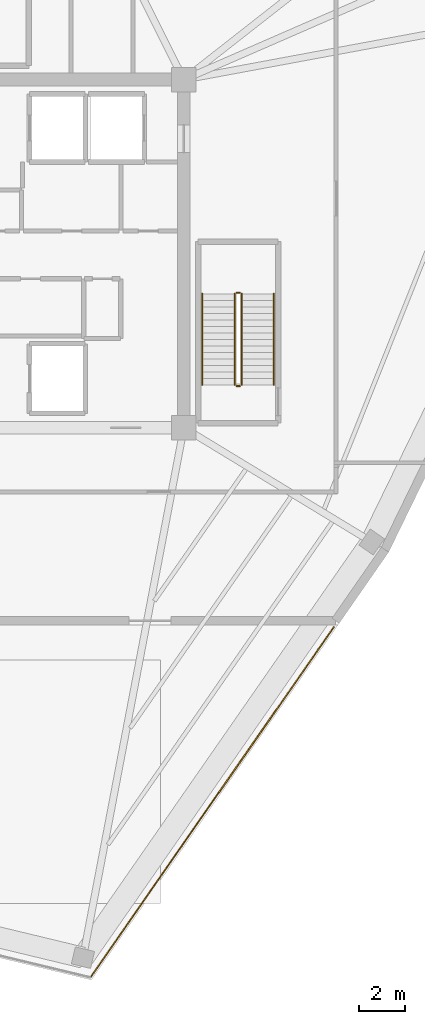
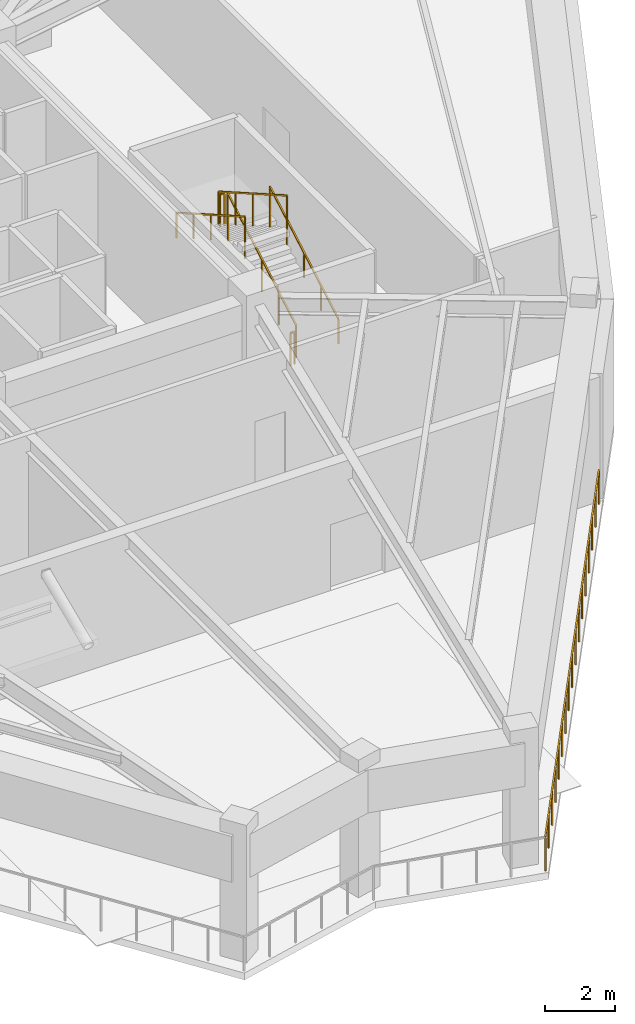
# One storey, part 10 of 12: 7 railings.
"""IFC4 building model written with IfcOpenShell, lengths in metres."""

from ifc_helpers import new_model, si_unit, direction, frame, origin, origin_2d, place, context, subcontext, project, spatial, rectangle, extrude, material, type_object, element, save


model = new_model("IFC4")

# Units and contexts
model_context = context("Model", 3, precision=1e-05, world=origin(), true_north=direction((0.0, 1.0)))
body_context = subcontext(model_context, "Body", "Model", "MODEL_VIEW")
ifc_project = project(units=[si_unit("LENGTHUNIT", "METRE"), si_unit("AREAUNIT", "SQUARE_METRE"), si_unit("VOLUMEUNIT", "CUBIC_METRE"), si_unit("PLANEANGLEUNIT", "RADIAN"), si_unit("MASSUNIT", "GRAM", prefix="KILO")], contexts=[model_context])

# Site, building, storey
site_placement = place(None, origin())
site = spatial("IfcSite", under=ifc_project, at=site_placement, CompositionType="ELEMENT")
building_placement = place(site_placement, origin())
building = spatial("IfcBuilding", under=site, at=building_placement, Name="Liaohun Quay Tower", CompositionType="ELEMENT")
storey_placement = place(building_placement, frame((0.0, 0.0, 355.800048828125)))
storey = spatial("IfcBuildingStorey", under=building, at=storey_placement, Name="L92", CompositionType="ELEMENT", Elevation=355.800048828125)

# Railings
ifc_material_1 = material(Name="Galvanised and powder-coated steel", Category="steel")
railing_type_1 = type_object("IfcRailingType", Name="RLG-GUARD-EXT", PredefinedType="GUARDRAIL", material=ifc_material_1)
railing_1_placement = place(storey_placement, frame((75.449951171875, 37.89990234375, 0.0)))
element("IfcRailing", 1, at=railing_1_placement, inside=storey, type_object=railing_type_1, Name="L92 L92 Observation Lookout Perimeter Balustrade 01", PredefinedType="GUARDRAIL", context=body_context, shape_type="SweptSolid", body=[
    extrude(rectangle(XDim=0.048095703125, YDim=0.048095703125, at=origin_2d()), frame((0.0, 0.0, 1.17578125), z_axis=(-0.570538633817, -0.821270763709, 0.0), x_axis=(0.821270763709, -0.570538633817, 0.0)), (0.0, 0.0, 1.0), 18.3544921875),
    extrude(rectangle(XDim=0.0419921875, YDim=0.0419921875, at=origin_2d()), origin(), (0.0, 0.0, 1.0), 1.15185546875),
    extrude(rectangle(XDim=0.0419921875, YDim=0.0419921875, at=origin_2d()), frame((-0.654541015625, -0.942138671875, 0.0)), (0.0, 0.0, 1.0), 1.15185546875),
    extrude(rectangle(XDim=0.0419921875, YDim=0.0419921875, at=origin_2d()), frame((-1.30908203125, -1.88427734375, 0.0)), (0.0, 0.0, 1.0), 1.15185546875),
    extrude(rectangle(XDim=0.0419921875, YDim=0.0419921875, at=origin_2d()), frame((-1.96337890625, -2.826416015625, 0.0)), (0.0, 0.0, 1.0), 1.15185546875),
    extrude(rectangle(XDim=0.0419921875, YDim=0.0419921875, at=origin_2d()), frame((-2.617919921875, -3.7685546875, 0.0)), (0.0, 0.0, 1.0), 1.15185546875),
    extrude(rectangle(XDim=0.0419921875, YDim=0.0419921875, at=origin_2d()), frame((-3.2724609375, -4.710693359375, 0.0)), (0.0, 0.0, 1.0), 1.15185546875),
    extrude(rectangle(XDim=0.0419921875, YDim=0.0419921875, at=origin_2d()), frame((-3.927001953125, -5.65283203125, 0.0)), (0.0, 0.0, 1.0), 1.15185546875),
    extrude(rectangle(XDim=0.0419921875, YDim=0.0419921875, at=origin_2d()), frame((-4.58154296875, -6.594970703125, 0.0)), (0.0, 0.0, 1.0), 1.15185546875),
    extrude(rectangle(XDim=0.0419921875, YDim=0.0419921875, at=origin_2d()), frame((-5.23583984375, -7.537109375, 0.0)), (0.0, 0.0, 1.0), 1.15185546875),
    extrude(rectangle(XDim=0.0419921875, YDim=0.0419921875, at=origin_2d()), frame((-5.890380859375, -8.47900390625, 0.0)), (0.0, 0.0, 1.0), 1.15185546875),
    extrude(rectangle(XDim=0.0419921875, YDim=0.0419921875, at=origin_2d()), frame((-6.544921875, -9.421142578125, 0.0)), (0.0, 0.0, 1.0), 1.15185546875),
    extrude(rectangle(XDim=0.0419921875, YDim=0.0419921875, at=origin_2d()), frame((-7.199462890625, -10.36328125, 0.0)), (0.0, 0.0, 1.0), 1.15185546875),
    extrude(rectangle(XDim=0.0419921875, YDim=0.0419921875, at=origin_2d()), frame((-7.85400390625, -11.305419921875, 0.0)), (0.0, 0.0, 1.0), 1.15185546875),
    extrude(rectangle(XDim=0.0419921875, YDim=0.0419921875, at=origin_2d()), frame((-8.508544921875, -12.24755859375, 0.0)), (0.0, 0.0, 1.0), 1.15185546875),
    extrude(rectangle(XDim=0.0419921875, YDim=0.0419921875, at=origin_2d()), frame((-9.162841796875, -13.189697265625, 0.0)), (0.0, 0.0, 1.0), 1.15185546875),
    extrude(rectangle(XDim=0.0419921875, YDim=0.0419921875, at=origin_2d()), frame((-9.8173828125, -14.1318359375, 0.0)), (0.0, 0.0, 1.0), 1.15185546875),
    extrude(rectangle(XDim=0.0419921875, YDim=0.0419921875, at=origin_2d()), frame((-10.471923828125, -15.073974609375, 0.0)), (0.0, 0.0, 1.0), 1.15185546875),
])
ifc_material_2 = material(Name="Painted tubular steel", Category="steel")
railing_type_2 = type_object("IfcRailingType", Name="RLG-GUARD-STR", PredefinedType="GUARDRAIL", material=ifc_material_2)
railing_2_placement = place(storey_placement, frame((71.489990234375, 48.35009765625, 0.159912109375)))
element("IfcRailing", 2, at=railing_2_placement, inside=storey, type_object=railing_type_2, Name="L92 ST-2 stair guard 1", PredefinedType="GUARDRAIL", context=body_context, shape_type="SweptSolid", body=[
    extrude(rectangle(XDim=0.048095703125, YDim=0.048095703125, at=origin_2d()), frame((0.0, 0.0, 1.1259765625), z_axis=(0.0, 0.868239814368, 0.496144761885), x_axis=(-1.0, 0.0, 0.0)), (0.0, 0.0, 1.0), 4.514892578125),
    extrude(rectangle(XDim=0.0419921875, YDim=0.0419921875, at=origin_2d()), origin(), (0.0, 0.0, 1.0), 1.101806640625),
    extrude(rectangle(XDim=0.0419921875, YDim=0.0419921875, at=origin_2d()), frame((0.0, 0.97998046875, 0.56005859375)), (0.0, 0.0, 1.0), 1.101806640625),
    extrude(rectangle(XDim=0.0419921875, YDim=0.0419921875, at=origin_2d()), frame((0.0, 1.9599609375, 1.1201171875)), (0.0, 0.0, 1.0), 1.101806640625),
    extrude(rectangle(XDim=0.0419921875, YDim=0.0419921875, at=origin_2d()), frame((0.0, 2.93994140625, 1.679931640625)), (0.0, 0.0, 1.0), 1.101806640625),
    extrude(rectangle(XDim=0.0419921875, YDim=0.0419921875, at=origin_2d()), frame((0.0, 3.919921875, 2.239990234375)), (0.0, 0.0, 1.0), 1.101806640625),
])
railing_3_placement = place(storey_placement, frame((71.409912109375, 52.320068359375, 2.39990234375)))
element("IfcRailing", 3, at=railing_3_placement, inside=storey, type_object=railing_type_2, Name="L92 ST-2 stair guard 2", PredefinedType="GUARDRAIL", context=body_context, shape_type="SweptSolid", body=[
    extrude(rectangle(XDim=0.048095703125, YDim=0.048095703125, at=origin_2d()), frame((0.0, 0.0, 1.1259765625), z_axis=(-1.0, 0.0, 0.0), x_axis=(0.0, -1.0, 0.0)), (0.0, 0.0, 1.0), 0.139892578125),
    extrude(rectangle(XDim=0.0419921875, YDim=0.0419921875, at=origin_2d()), origin(), (0.0, 0.0, 1.0), 1.101806640625),
    extrude(rectangle(XDim=0.0419921875, YDim=0.0419921875, at=origin_2d()), frame((-0.139892578125, 0.0, 0.0)), (0.0, 0.0, 1.0), 1.101806640625),
])
railing_4_placement = place(storey_placement, frame((71.18994140625, 52.27001953125, 2.56005859375)))
element("IfcRailing", 4, at=railing_4_placement, inside=storey, type_object=railing_type_2, Name="L92 ST-2 stair guard 3", PredefinedType="GUARDRAIL", context=body_context, shape_type="SweptSolid", body=[
    extrude(rectangle(XDim=0.048095703125, YDim=0.048095703125, at=origin_2d()), frame((0.0, 0.0, 1.1259765625), z_axis=(0.0, -0.868239814368, 0.496144761885), x_axis=(1.0, 0.0, 0.0)), (0.0, 0.0, 1.0), 4.514892578125),
    extrude(rectangle(XDim=0.0419921875, YDim=0.0419921875, at=origin_2d()), origin(), (0.0, 0.0, 1.0), 1.101806640625),
    extrude(rectangle(XDim=0.0419921875, YDim=0.0419921875, at=origin_2d()), frame((0.0, -0.97998046875, 0.56005859375)), (0.0, 0.0, 1.0), 1.101806640625),
    extrude(rectangle(XDim=0.0419921875, YDim=0.0419921875, at=origin_2d()), frame((0.0, -1.9599609375, 1.1201171875)), (0.0, 0.0, 1.0), 1.101806640625),
    extrude(rectangle(XDim=0.0419921875, YDim=0.0419921875, at=origin_2d()), frame((0.0, -2.93994140625, 1.679931640625)), (0.0, 0.0, 1.0), 1.101806640625),
    extrude(rectangle(XDim=0.0419921875, YDim=0.0419921875, at=origin_2d()), frame((0.0, -3.919921875, 2.239990234375)), (0.0, 0.0, 1.0), 1.101806640625),
])
railing_5_placement = place(storey_placement, frame((71.409912109375, 48.300048828125, 0.0)))
element("IfcRailing", 5, at=railing_5_placement, inside=storey, type_object=railing_type_2, Name="L92 ST-2 stair guard 4", PredefinedType="GUARDRAIL", context=body_context, shape_type="SweptSolid", body=[
    extrude(rectangle(XDim=0.048095703125, YDim=0.048095703125, at=origin_2d()), frame((0.0, 0.0, 1.1259765625), z_axis=(-1.0, 0.0, 0.0), x_axis=(0.0, -1.0, 0.0)), (0.0, 0.0, 1.0), 0.139892578125),
    extrude(rectangle(XDim=0.0419921875, YDim=0.0419921875, at=origin_2d()), origin(), (0.0, 0.0, 1.0), 1.101806640625),
    extrude(rectangle(XDim=0.0419921875, YDim=0.0419921875, at=origin_2d()), frame((-0.139892578125, 0.0, 0.0)), (0.0, 0.0, 1.0), 1.101806640625),
])
ifc_material_3 = material(Name="Brushed stainless steel", Category="steel")
railing_type_3 = type_object("IfcRailingType", Name="RLG-HND-STR", PredefinedType="HANDRAIL", material=ifc_material_3)
railing_6_placement = place(storey_placement, frame((72.8798828125, 48.35009765625, 0.159912109375)))
element("IfcRailing", 6, at=railing_6_placement, inside=storey, type_object=railing_type_3, Name="L92 ST-2 stair handrail 1", PredefinedType="HANDRAIL", context=body_context, shape_type="SweptSolid", body=[
    extrude(rectangle(XDim=0.048095703125, YDim=0.048095703125, at=origin_2d()), frame((0.0, 0.0, 0.8759765625), z_axis=(0.0, 0.868239814368, 0.496144761885), x_axis=(-1.0, 0.0, 0.0)), (0.0, 0.0, 1.0), 4.514892578125),
    extrude(rectangle(XDim=0.0419921875, YDim=0.0419921875, at=origin_2d()), origin(), (0.0, 0.0, 1.0), 0.851806640625),
    extrude(rectangle(XDim=0.0419921875, YDim=0.0419921875, at=origin_2d()), frame((0.0, 0.97998046875, 0.56005859375)), (0.0, 0.0, 1.0), 0.851806640625),
    extrude(rectangle(XDim=0.0419921875, YDim=0.0419921875, at=origin_2d()), frame((0.0, 1.9599609375, 1.1201171875)), (0.0, 0.0, 1.0), 0.851806640625),
    extrude(rectangle(XDim=0.0419921875, YDim=0.0419921875, at=origin_2d()), frame((0.0, 2.93994140625, 1.679931640625)), (0.0, 0.0, 1.0), 0.851806640625),
    extrude(rectangle(XDim=0.0419921875, YDim=0.0419921875, at=origin_2d()), frame((0.0, 3.919921875, 2.239990234375)), (0.0, 0.0, 1.0), 0.851806640625),
])
railing_7_placement = place(storey_placement, frame((69.800048828125, 52.27001953125, 2.56005859375)))
element("IfcRailing", 7, at=railing_7_placement, inside=storey, type_object=railing_type_3, Name="L92 ST-2 stair handrail 2", PredefinedType="HANDRAIL", context=body_context, shape_type="SweptSolid", body=[
    extrude(rectangle(XDim=0.048095703125, YDim=0.048095703125, at=origin_2d()), frame((0.0, 0.0, 0.8759765625), z_axis=(0.0, -0.868239814368, 0.496144761885), x_axis=(1.0, 0.0, 0.0)), (0.0, 0.0, 1.0), 4.514892578125),
    extrude(rectangle(XDim=0.0419921875, YDim=0.0419921875, at=origin_2d()), origin(), (0.0, 0.0, 1.0), 0.851806640625),
    extrude(rectangle(XDim=0.0419921875, YDim=0.0419921875, at=origin_2d()), frame((0.0, -0.97998046875, 0.56005859375)), (0.0, 0.0, 1.0), 0.851806640625),
    extrude(rectangle(XDim=0.0419921875, YDim=0.0419921875, at=origin_2d()), frame((0.0, -1.9599609375, 1.1201171875)), (0.0, 0.0, 1.0), 0.851806640625),
    extrude(rectangle(XDim=0.0419921875, YDim=0.0419921875, at=origin_2d()), frame((0.0, -2.93994140625, 1.679931640625)), (0.0, 0.0, 1.0), 0.851806640625),
    extrude(rectangle(XDim=0.0419921875, YDim=0.0419921875, at=origin_2d()), frame((0.0, -3.919921875, 2.239990234375)), (0.0, 0.0, 1.0), 0.851806640625),
])

save(model, "model.ifc")
